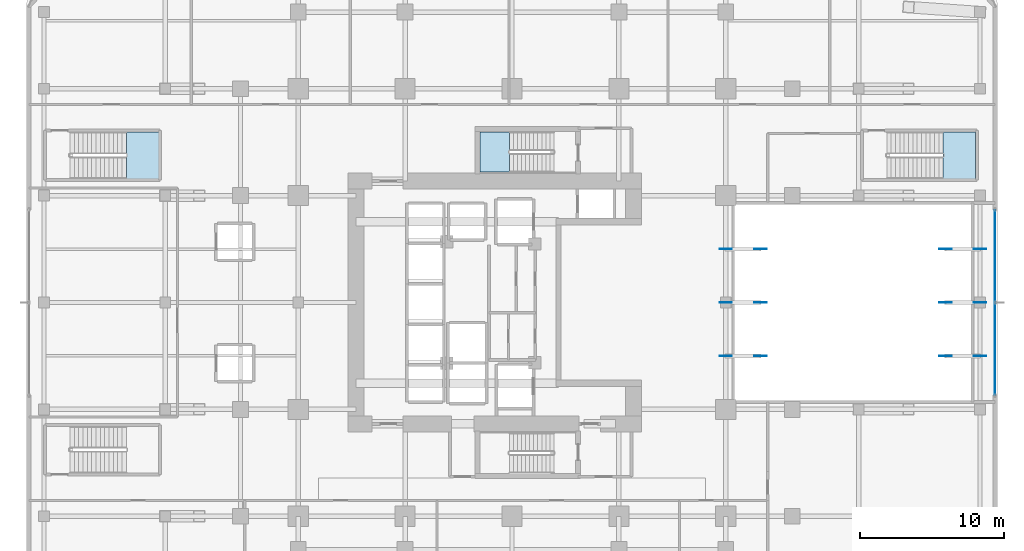
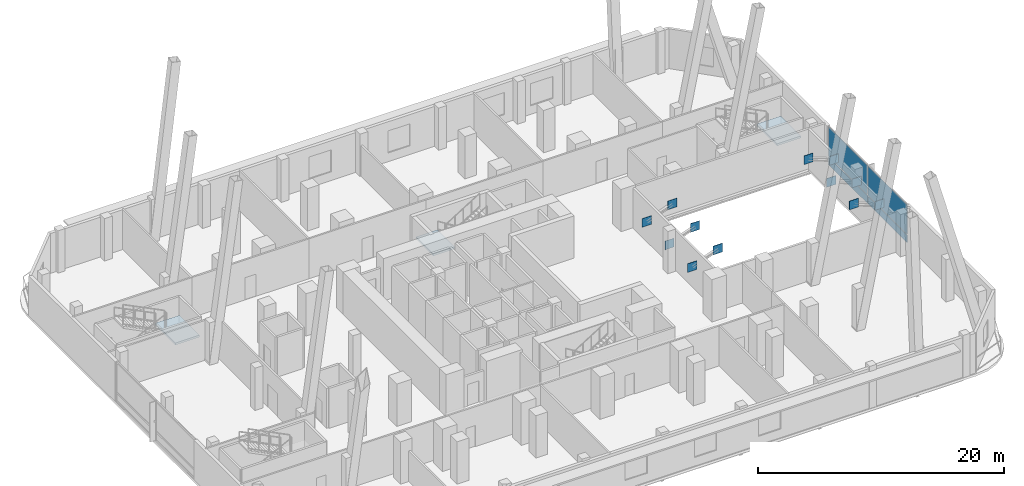
# One storey, part 10 of 23: 16 plates, 3 slabs, 4 elements without a shape of their own.
"""IFC4 building model written with IfcOpenShell, lengths in metres."""

import ifcopenshell
import ifcopenshell.guid

model = None  # the IFC model being written
_history = None  # IfcOwnerHistory: only IFC2X3 demands one
_inside = {}  # id of a spatial element -> (the spatial element, [elements in it])
_under = {}  # id of a project, library or spatial element -> (it, [spatial elements below it])
_declared = {}  # id of a project -> (the project, [libraries it declares])
_typed = {}  # id of a type object -> (the type object, [elements of that type])
_made_of = {}  # id of a material, layer set ... -> (it, [elements and type objects made of it])


def new_model(schema):
    """Start an empty IFC model of exactly this schema.

    Asked for "IFC4X3", IfcOpenShell would pick the latest addendum, in which some entities
    have other attributes; the version numbers below select the first issue.
    IFC2X3 requires an IfcOwnerHistory on every rooted entity: one is made here for all.
    """
    global model, _history
    if schema == "IFC4X3":
        model = ifcopenshell.file(schema_version=(4, 3, 0, 0))
    else:
        model = ifcopenshell.file(schema=schema)
    _inside.clear()
    _under.clear()
    _declared.clear()
    _typed.clear()
    _made_of.clear()
    _history = None
    if model.schema == "IFC2X3":
        org = make("IfcOrganization", Name="unknown")
        user = make(
            "IfcPersonAndOrganization",
            ThePerson=make("IfcPerson", FamilyName="unknown"),
            TheOrganization=org,
        )
        app = make(
            "IfcApplication",
            ApplicationDeveloper=org,
            Version="unknown",
            ApplicationFullName="unknown",
            ApplicationIdentifier="unknown",
        )
        _history = make(
            "IfcOwnerHistory",
            OwningUser=user,
            OwningApplication=app,
            ChangeAction="ADDED",
            CreationDate=0,
        )
    return model


def make(cls, **values):
    """One entity of the class cls with the attributes given. An attribute that is None is left unset."""
    return model.create_entity(
        cls, **{name: value for name, value in values.items() if value is not None}
    )


def rooted(cls, **values):
    """An entity with a GlobalId (a new one), such as an element, a storey or a relation."""
    return make(cls, GlobalId=ifcopenshell.guid.new(), OwnerHistory=_history, **values)


def si_unit(unit_type, name, prefix=None):
    """IfcSIUnit, for example si_unit("LENGTHUNIT", "METRE", prefix="MILLI")."""
    return make("IfcSIUnit", UnitType=unit_type, Prefix=prefix, Name=name)


def assignment(units):
    """IfcUnitAssignment: the units of a project."""
    return None if units is None else make("IfcUnitAssignment", Units=units)


def point(xyz):
    """IfcCartesianPoint."""
    return None if xyz is None else make("IfcCartesianPoint", Coordinates=xyz)


def direction(xyz):
    """IfcDirection."""
    return None if xyz is None else make("IfcDirection", DirectionRatios=xyz)


def frame(location, z_axis=None, x_axis=None):
    """IfcAxis2Placement3D, a coordinate frame: its origin and axes. An axis left out is left unset."""
    return make(
        "IfcAxis2Placement3D",
        Location=point(location),
        Axis=direction(z_axis),
        RefDirection=direction(x_axis),
    )


def frame_2d(location, x_axis=None):
    """IfcAxis2Placement2D, a coordinate frame in the plane: its origin and x axis."""
    return make(
        "IfcAxis2Placement2D", Location=point(location), RefDirection=direction(x_axis)
    )


def origin():
    """The frame at (0, 0, 0) with its axes left unset."""
    return frame((0.0, 0.0, 0.0))


def origin_2d():
    """The frame at (0, 0) in the plane with its x axis left unset."""
    return frame_2d((0.0, 0.0))


def place(relative_to, where):
    """IfcLocalPlacement: puts the frame where relative to a parent placement (None: the world)."""
    return make(
        "IfcLocalPlacement", PlacementRelTo=relative_to, RelativePlacement=where
    )


def context(
    kind, dimensions, precision=None, world=None, true_north=None, identifier=None
):
    """IfcGeometricRepresentationContext, for example the 3D "Model" context."""
    return make(
        "IfcGeometricRepresentationContext",
        ContextIdentifier=identifier,
        ContextType=kind,
        CoordinateSpaceDimension=dimensions,
        Precision=precision,
        WorldCoordinateSystem=world,
        TrueNorth=true_north,
    )


def subcontext(parent, identifier, kind, view, scale=None):
    """IfcGeometricRepresentationSubContext, for example "Body" below "Model"."""
    return make(
        "IfcGeometricRepresentationSubContext",
        ContextIdentifier=identifier,
        ContextType=kind,
        ParentContext=parent,
        TargetScale=scale,
        TargetView=view,
    )


def project(units=None, contexts=None):
    """IfcProject with its units and contexts."""
    return rooted(
        "IfcProject",
        Name="project",
        RepresentationContexts=contexts,
        UnitsInContext=assignment(units),
    )


def spatial(cls, under=None, at=None, **own):
    """A site, building, storey or space (cls), placed at a placement, below another one or the project."""
    s = rooted(cls, ObjectPlacement=at, **own)
    if under is not None:
        _under.setdefault(under.id(), (under, []))[1].append(s)
    return s


def polyline(points):
    """IfcPolyline through the points."""
    return make("IfcPolyline", Points=[point(p) for p in points])


def profile(cls, at=None, kind="AREA", **sizes):
    """A parametric profile (cls). Its sizes go by their IFC names, for example OverallWidth=200.0."""
    return make(cls, ProfileType=kind, Position=at, **sizes)


def rectangle(**sizes):
    """IfcRectangleProfileDef."""
    return profile("IfcRectangleProfileDef", **sizes)


def outline(outer, holes=None, kind="AREA"):
    """IfcArbitraryClosedProfileDef: a profile drawn as a closed curve; with holes, ...WithVoids."""
    if holes is None:
        return make("IfcArbitraryClosedProfileDef", ProfileType=kind, OuterCurve=outer)
    return make(
        "IfcArbitraryProfileDefWithVoids",
        ProfileType=kind,
        OuterCurve=outer,
        InnerCurves=holes,
    )


def extrude(swept, where, along, depth):
    """IfcExtrudedAreaSolid: the profile swept, set in the frame where, extruded along a direction by depth."""
    return make(
        "IfcExtrudedAreaSolid",
        SweptArea=swept,
        Position=where,
        ExtrudedDirection=direction(along),
        Depth=depth,
    )


def shape(context_of_items, identifier, shape_type, items):
    """IfcShapeRepresentation: the items that make up one representation, for example the "Body"."""
    return make(
        "IfcShapeRepresentation",
        ContextOfItems=context_of_items,
        RepresentationIdentifier=identifier,
        RepresentationType=shape_type,
        Items=items,
    )


def material(Name=None, Category=None):
    """IfcMaterial."""
    return make("IfcMaterial", Name=Name, Category=Category)


def layer(
    of_material, thickness, ventilated=None, Name=None, Category=None, Priority=None
):
    """IfcMaterialLayer: one layer of a wall or slab, of a material (None: an air gap)."""
    return make(
        "IfcMaterialLayer",
        Material=of_material,
        LayerThickness=thickness,
        IsVentilated=ventilated,
        Name=Name,
        Category=Category,
        Priority=Priority,
    )


def layer_set(layers, Name=None):
    """IfcMaterialLayerSet."""
    return make("IfcMaterialLayerSet", MaterialLayers=layers, LayerSetName=Name)


def made_of(thing, what):
    """Note that an element or type object is made of a material, layer set ...; save() writes the relation."""
    if what is not None:
        _made_of.setdefault(what.id(), (what, []))[1].append(thing)
    return thing


def type_object(cls, material=None, **own):
    """A type object (cls), such as IfcWallType, which elements share."""
    return made_of(rooted(cls, **own), material)


def element(
    cls,
    number,
    at=None,
    inside=None,
    cuts=None,
    type_object=None,
    material=None,
    context=None,
    identifier="Body",
    shape_type=None,
    held_by="IfcProductDefinitionShape",
    body=None,
    shapes=None,
    **own,
):
    """One element of the class cls, such as IfcWall. Its Tag is "e" and its number.

    at: its placement. inside: the storey or other place that contains it. cuts: it is an
    opening in that element (IfcRelVoidsElement). A single representation is given by context,
    identifier, shape_type and body (its items); several are given by shapes. held_by: the class
    of the entity that holds the representations. save() writes the other relations.
    """
    e = rooted(cls, Tag="e%d" % number, ObjectPlacement=at, **own)
    if body is not None:
        shapes = [shape(context, identifier, shape_type, body)]
    if shapes is not None:
        e.Representation = make(held_by, Representations=shapes)
    if inside is not None:
        _inside.setdefault(inside.id(), (inside, []))[1].append(e)
    if cuts is not None:
        rooted(
            "IfcRelVoidsElement", RelatingBuildingElement=cuts, RelatedOpeningElement=e
        )
    if type_object is not None:
        _typed.setdefault(type_object.id(), (type_object, []))[1].append(e)
    return made_of(e, material)


def aggregate(whole, parts):
    """IfcRelAggregates: a whole, such as a stair, and the parts it consists of."""
    return rooted("IfcRelAggregates", RelatingObject=whole, RelatedObjects=parts)


def save(model, path):
    """Write the relations noted so far, then the file.

    IfcRelAggregates (storeys below a building ...), IfcRelContainedInSpatialStructure (elements
    in a storey), IfcRelDefinesByType, IfcRelAssociatesMaterial and IfcRelDeclares: one each for
    every whole, place, type object, material and project.
    """
    for whole, parts in _under.values():
        aggregate(whole, parts)
    for where, things in _inside.values():
        rooted(
            "IfcRelContainedInSpatialStructure",
            RelatedElements=things,
            RelatingStructure=where,
        )
    for kind, things in _typed.values():
        rooted("IfcRelDefinesByType", RelatedObjects=things, RelatingType=kind)
    for what, things in _made_of.values():
        rooted("IfcRelAssociatesMaterial", RelatedObjects=things, RelatingMaterial=what)
    for by, libraries in _declared.values():
        rooted("IfcRelDeclares", RelatingContext=by, RelatedDefinitions=libraries)
    model.write(path)


model = new_model("IFC4")

# Units and contexts
model_context = context("Model", 3, precision=1e-05, world=origin(), true_north=direction((0.0, 1.0)))
body_context = subcontext(model_context, "Body", "Model", "MODEL_VIEW")
ifc_project = project(units=[si_unit("LENGTHUNIT", "METRE"), si_unit("AREAUNIT", "SQUARE_METRE"), si_unit("VOLUMEUNIT", "CUBIC_METRE"), si_unit("PLANEANGLEUNIT", "RADIAN"), si_unit("MASSUNIT", "GRAM", prefix="KILO")], contexts=[model_context])

# Site, building, storey
site_placement = place(None, origin())
site = spatial("IfcSite", under=ifc_project, at=site_placement, CompositionType="ELEMENT")
building_placement = place(site_placement, origin())
building = spatial("IfcBuilding", under=site, at=building_placement, Name="Khorvyn Point Tower", CompositionType="ELEMENT")
storey_placement = place(building_placement, frame((0.0, 0.0, 9.0)))
storey = spatial("IfcBuildingStorey", under=building, at=storey_placement, Name="L03", CompositionType="ELEMENT", Elevation=9.0)

# Stair, slab
ifc_material_1 = material(Name="Concrete C40/50", Category="concrete")
stair_type_1 = type_object("IfcStairType", Name="Tower Concrete C40/50 Dogleg Exit Stair", PredefinedType="HALF_TURN_STAIR", material=ifc_material_1)
stair_1_placement = place(storey_placement, origin())
stair_1 = element("IfcStair", 1, at=stair_1_placement, inside=storey, type_object=stair_type_1, Name="L03 Tower Smokeproof Exit Stair North", PredefinedType="HALF_TURN_STAIR")
ifc_layer_1 = layer(ifc_material_1, 0.199951171875)
ifc_layer_set_1 = layer_set([ifc_layer_1], Name="Concrete C40/50 Stair Landing Slab 200")
slab_type = type_object("IfcSlabType", Name="Concrete C40/50 Stair Landing Slab 200", PredefinedType="LANDING", material=ifc_layer_set_1)
slab_1_placement = place(storey_placement, frame((0.0, 0.0, 1.89990234375)))
slab_1 = element("IfcSlab", 2, at=slab_1_placement, type_object=slab_type, Name="ST-02 landing 1", PredefinedType="LANDING", context=body_context, shape_type="SweptSolid", body=[
    extrude(outline(polyline([(-0.179931640625, 11.820068359375), (-2.199951171875, 11.820068359375), (-2.199951171875, 9.02001953125), (-0.179931640625, 9.02001953125), (-0.179931640625, 11.820068359375)])), origin(), (0.0, 0.0, 1.0), 0.2001953125),
])
aggregate(stair_1, [slab_1])

stair_type_2 = type_object("IfcStairType", Name="School Podium Concrete C40/50 Wide Exit Stair", PredefinedType="HALF_TURN_STAIR", material=ifc_material_1)
stair_2_placement = place(storey_placement, origin())
stair_2 = element("IfcStair", 3, at=stair_2_placement, inside=storey, type_object=stair_type_2, Name="L03 School Podium Smokeproof Stair Northwest", PredefinedType="HALF_TURN_STAIR")
slab_2_placement = place(storey_placement, frame((0.0, 0.0, 1.89990234375)))
slab_2 = element("IfcSlab", 4, at=slab_2_placement, type_object=slab_type, Name="ST-S2 landing 1", PredefinedType="LANDING", context=body_context, shape_type="SweptSolid", body=[
    extrude(outline(polyline([(-26.699951171875, 8.56005859375), (-24.449951171875, 8.56005859375), (-24.449951171875, 11.820068359375), (-26.699951171875, 11.820068359375), (-26.699951171875, 8.56005859375)])), origin(), (0.0, 0.0, 1.0), 0.2001953125),
])
aggregate(stair_2, [slab_2])

stair_3_placement = place(storey_placement, origin())
stair_3 = element("IfcStair", 5, at=stair_3_placement, inside=storey, type_object=stair_type_2, Name="L03 School Podium Smokeproof Stair Northeast", PredefinedType="HALF_TURN_STAIR")
slab_3_placement = place(storey_placement, frame((0.0, 0.0, 1.89990234375)))
slab_3 = element("IfcSlab", 6, at=slab_3_placement, type_object=slab_type, Name="ST-S3 landing 1", PredefinedType="LANDING", context=body_context, shape_type="SweptSolid", body=[
    extrude(outline(polyline([(29.85009765625, 8.56005859375), (32.10009765625, 8.56005859375), (32.10009765625, 11.820068359375), (29.85009765625, 11.820068359375), (29.85009765625, 8.56005859375)])), origin(), (0.0, 0.0, 1.0), 0.2001953125),
])
aggregate(stair_3, [slab_3])

# Curtain wall, plates
ifc_material_2 = material(Name="Anodised aluminium 6063-T6 and laminated Low-E glass", Category="aluminium")
ifc_layer_2 = layer(ifc_material_2, 0.18994140625)
ifc_layer_set_2 = layer_set([ifc_layer_2], Name="Stick-Built Low-E Podium Curtain Wall CW-SYS-01")
curtain_wall_type = type_object("IfcCurtainWallType", Name="Stick-Built Low-E Podium Curtain Wall CW-SYS-01", PredefinedType="NOTDEFINED", material=ifc_layer_set_2)
curtain_wall_placement = place(storey_placement, origin())
curtain_wall = element("IfcCurtainWall", 7, at=curtain_wall_placement, inside=storey, type_object=curtain_wall_type, Name="Curtain Wall", PredefinedType="NOTDEFINED")
ifc_material_3 = material(Name="Pale anodised aluminium 5005", Category="aluminium")
ifc_layer_3 = layer(ifc_material_3, 0.0400390625)
ifc_layer_set_3 = layer_set([ifc_layer_3], Name="Pale Champagne Aluminium Insulated Spandrel Panel CW-SP40")
plate_type_1 = type_object("IfcPlateType", Name="Pale Champagne Aluminium Insulated Spandrel Panel CW-SP40", PredefinedType="SHEET", material=ifc_layer_set_3)
plate_1_placement = place(storey_placement, frame((33.449951171875, -3.22509765625, 0.10009765625), z_axis=(0.0, 0.0, 1.0), x_axis=(0.0, 1.0, 0.0)))
plate_1 = element("IfcPlate", 8, at=plate_1_placement, type_object=plate_type_1, Name="Panel", PredefinedType="SHEET", context=body_context, shape_type="SweptSolid", body=[
    extrude(rectangle(XDim=6.35009765625, YDim=0.0400390625, at=origin_2d()), origin(), (0.0, 0.0, 1.0), 0.75),
])
plate_2_placement = place(storey_placement, frame((33.449951171875, 3.22509765625, 0.10009765625), z_axis=(0.0, 0.0, 1.0), x_axis=(0.0, 1.0, 0.0)))
plate_2 = element("IfcPlate", 9, at=plate_2_placement, type_object=plate_type_1, Name="Panel", PredefinedType="SHEET", context=body_context, shape_type="SweptSolid", body=[
    extrude(rectangle(XDim=6.35009765625, YDim=0.0400390625, at=origin_2d()), origin(), (0.0, 0.0, 1.0), 0.75),
])

# Plates
ifc_material_4 = material(Name="Steel S450", Category="steel")
ifc_layer_4 = layer(ifc_material_4, 0.031982421875)
ifc_layer_set_4 = layer_set([ifc_layer_4], Name="Steel S450 Exoskeleton End Cap Plate 32")
plate_type_2 = type_object("IfcPlateType", Name="Steel S450 Exoskeleton End Cap Plate 32", PredefinedType="USERDEFINED", material=ifc_layer_set_4)
for number, where, z_axis, x_axis, name in (
    (10, (14.800048828125, -3.699951171875, 2.18017578125), (0.0, 0.0, 1.0), (1.0, 0.0, 0.0), "NP-GYM-1-W0"),
    (11, (17.199951171875, -3.699951171875, 3.080078125), (0.0, 0.0, 1.0), (1.0, 0.0, 0.0), "NP-GYM-1-W1"),
    (12, (32.39990234375, -3.699951171875, 2.18017578125), (0.0, 0.0, 1.0), (1.0, 0.0, 0.0), "NP-GYM-1-E0"),
    (13, (30.0, -3.699951171875, 3.080078125), (0.0, 0.0, 1.0), (1.0, 0.0, 0.0), "NP-GYM-1-E1"),
    (14, (14.800048828125, 0.0, 2.18017578125), (0.0, 0.0, 1.0), (1.0, 0.0, 0.0), "NP-GYM-2-W0"),
    (15, (17.199951171875, 0.0, 3.080078125), (0.0, 0.0, 1.0), (1.0, 0.0, 0.0), "NP-GYM-2-W1"),
    (16, (32.39990234375, 0.0, 2.18017578125), (0.0, 0.0, 1.0), (1.0, 0.0, 0.0), "NP-GYM-2-E0"),
    (17, (30.0, 0.0, 3.080078125), (0.0, 0.0, 1.0), (1.0, 0.0, 0.0), "NP-GYM-2-E1"),
    (18, (14.800048828125, 3.699951171875, 2.18017578125), (0.0, 0.0, 1.0), (1.0, 0.0, 0.0), "NP-GYM-3-W0"),
    (19, (17.199951171875, 3.699951171875, 3.080078125), (0.0, 0.0, 1.0), (1.0, 0.0, 0.0), "NP-GYM-3-W1"),
    (20, (32.39990234375, 3.699951171875, 2.18017578125), (0.0, 0.0, 1.0), (1.0, 0.0, 0.0), "NP-GYM-3-E0"),
    (21, (30.0, 3.699951171875, 3.080078125), (0.0, 0.0, 1.0), (1.0, 0.0, 0.0), "NP-GYM-3-E1"),
):
    element("IfcPlate", number, at=place(storey_placement, frame(where, z_axis=z_axis, x_axis=x_axis)), inside=storey, type_object=plate_type_2, Name=name, ObjectType="GUSSET", PredefinedType="USERDEFINED", context=body_context, shape_type="SweptSolid", body=[
        extrude(rectangle(XDim=0.860107421875, YDim=0.031982421875, at=origin_2d()), origin(), (0.0, 0.0, 1.0), 0.860107421875),
    ])

# Plate
ifc_material_5 = material(Name="Laminated Low-E insulated glass", Category="glass")
ifc_layer_5 = layer(ifc_material_5, 0.028076171875)
ifc_layer_set_5 = layer_set([ifc_layer_5], Name="Tempered Low-E Vision Glazing Panel CW-GL28")
plate_type_3 = type_object("IfcPlateType", Name="Tempered Low-E Vision Glazing Panel CW-GL28", PredefinedType="CURTAIN_PANEL", material=ifc_layer_set_5)
plate_3_placement = place(storey_placement, frame((33.449951171875, -3.22509765625, 0.9501953125), z_axis=(0.0, 0.0, 1.0), x_axis=(0.0, 1.0, 0.0)))
plate_3 = element("IfcPlate", 22, at=plate_3_placement, type_object=plate_type_3, Name="Panel", PredefinedType="CURTAIN_PANEL", context=body_context, shape_type="SweptSolid", body=[
    extrude(rectangle(XDim=6.35009765625, YDim=0.028076171875, at=origin_2d()), origin(), (0.0, 0.0, 1.0), 2.909912109375),
])

plate_4_placement = place(storey_placement, frame((33.449951171875, 3.22509765625, 0.9501953125), z_axis=(0.0, 0.0, 1.0), x_axis=(0.0, 1.0, 0.0)))
plate_4 = element("IfcPlate", 23, at=plate_4_placement, type_object=plate_type_3, Name="Panel", PredefinedType="CURTAIN_PANEL", context=body_context, shape_type="SweptSolid", body=[
    extrude(rectangle(XDim=6.35009765625, YDim=0.028076171875, at=origin_2d()), origin(), (0.0, 0.0, 1.0), 2.909912109375),
])

aggregate(curtain_wall, [plate_1, plate_3, plate_2, plate_4])

save(model, "model.ifc")
